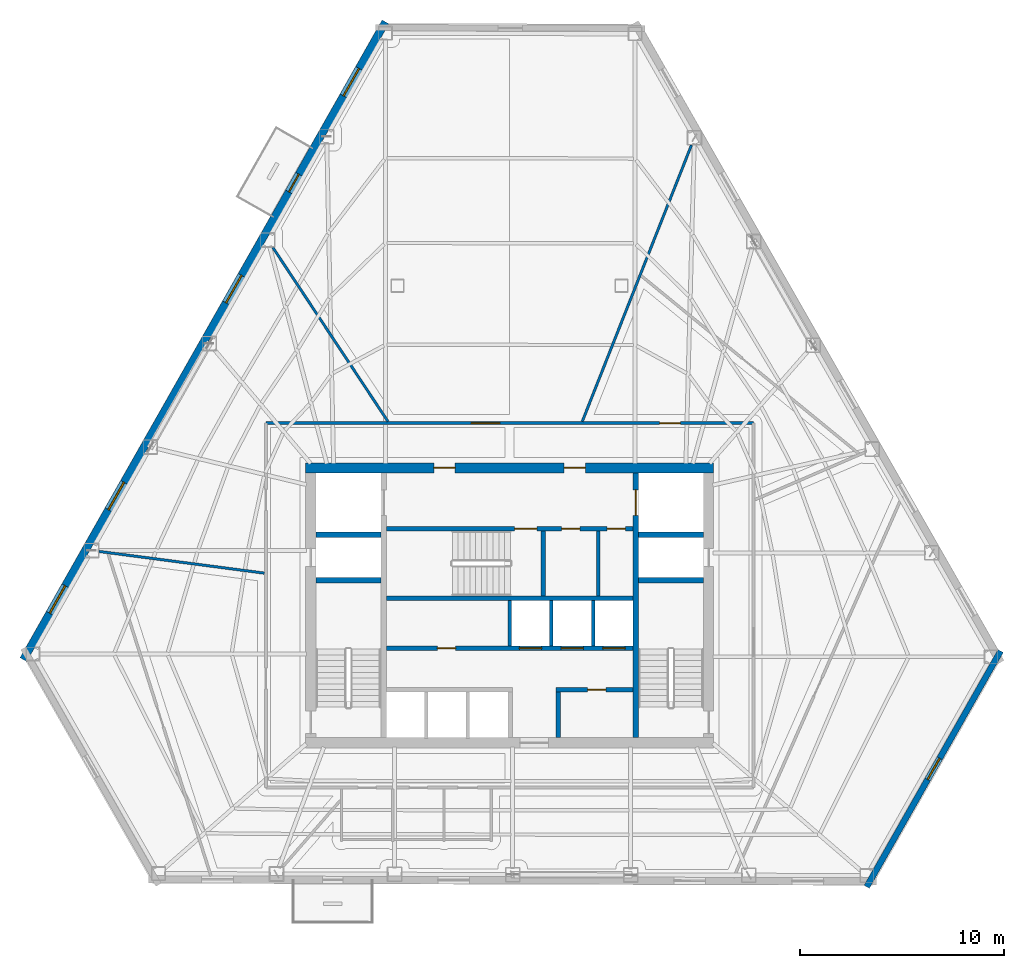
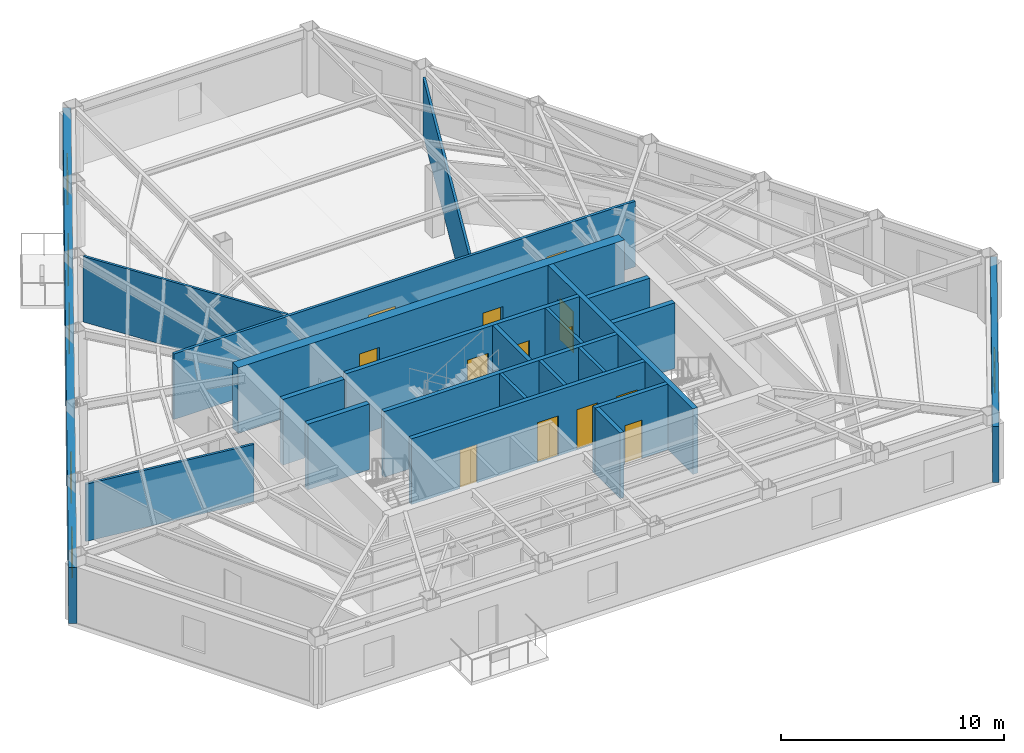
# One storey, part 9 of 13: 22 walls, 14 doors, 5 windows, 19 openings.
"""IFC4 building model written with IfcOpenShell, lengths in metres."""

from ifc_helpers import new_model, si_unit, direction, frame, frame_2d, origin, place, context, subcontext, project, spatial, rectangle, extrude, material, layer, layer_set, type_object, element, fill, save


model = new_model("IFC4")

# Units and contexts
model_context = context("Model", 3, precision=1e-05, world=origin(), true_north=direction((0.0, 1.0)))
body_context = subcontext(model_context, "Body", "Model", "MODEL_VIEW")
ifc_project = project(units=[si_unit("LENGTHUNIT", "METRE"), si_unit("AREAUNIT", "SQUARE_METRE"), si_unit("VOLUMEUNIT", "CUBIC_METRE"), si_unit("PLANEANGLEUNIT", "RADIAN"), si_unit("MASSUNIT", "GRAM", prefix="KILO")], contexts=[model_context])

# Site, building, storey
site_placement = place(None, origin())
site = spatial("IfcSite", under=ifc_project, at=site_placement, CompositionType="ELEMENT")
building_placement = place(site_placement, origin())
building = spatial("IfcBuilding", under=site, at=building_placement, Name="Kavelnor Concourse Tower", CompositionType="ELEMENT")
storey_placement = place(building_placement, frame((0.0, 0.0, 97.050048828125)))
storey = spatial("IfcBuildingStorey", under=building, at=storey_placement, Name="L24", CompositionType="ELEMENT", Elevation=97.050048828125)

# Wall, openings, doors
ifc_material_1 = material(Name="Concrete C60/75", Category="concrete")
ifc_layer_1 = layer(ifc_material_1, 0.5, Name="Concrete C60/75")
ifc_layer_set_1 = layer_set([ifc_layer_1], Name="Concrete C60/75")
wall_type_1 = type_object("IfcWallType", Name="WL-CORE-Z2-500", PredefinedType="SOLIDWALL", material=ifc_layer_set_1)
wall_1_placement = place(storey_placement, frame((27.97998046875, 22.85009765625, 0.0), z_axis=(0.0, 0.0, 1.0), x_axis=(1.0, 0.0, 0.0)))
wall_1 = element("IfcWall", 1, at=wall_1_placement, inside=storey, type_object=wall_type_1, Name="L24 Central Core North Shear Wall", PredefinedType="SOLIDWALL", context=body_context, shape_type="SweptSolid", body=[
    extrude(rectangle(XDim=20.0400390625, YDim=0.5, at=frame_2d((10.02001953125, 0.0))), origin(), (0.0, 0.0, 1.0), 3.599853515625),
])
opening_1_placement = place(wall_1_placement, frame((6.294921875, 0.0, 0.0)))
opening_1 = element("IfcOpeningElement", 2, at=opening_1_placement, cuts=wall_1, Name="Opening FD-105", PredefinedType="OPENING", context=body_context, shape_type="SweptSolid", body=[
    extrude(rectangle(XDim=1.050048828125, YDim=2.14990234375, at=frame_2d((0.52490234375, 1.074951171875))), frame((0.0, 0.260009765625, 0.0), z_axis=(0.0, -1.0, 0.0), x_axis=(1.0, 0.0, 0.0)), (0.0, 0.0, 1.0), 0.52001953125),
])
opening_2_placement = place(wall_1_placement, frame((12.695068359375, 0.0, 0.0)))
opening_2 = element("IfcOpeningElement", 3, at=opening_2_placement, cuts=wall_1, Name="Opening FD-105", PredefinedType="OPENING", context=body_context, shape_type="SweptSolid", body=[
    extrude(rectangle(XDim=1.050048828125, YDim=2.14990234375, at=frame_2d((0.52490234375, 1.074951171875))), frame((0.0, 0.260009765625, 0.0), z_axis=(0.0, -1.0, 0.0), x_axis=(1.0, 0.0, 0.0)), (0.0, 0.0, 1.0), 0.52001953125),
])
ifc_material_2 = material(Name="Steel Grade 350", Category="steel")
door_type_1 = type_object("IfcDoorType", Name="DR-LOBBY-FIRE-1050", OperationType="NOTDEFINED", PredefinedType="DOOR", material=ifc_material_2)
door_1_placement = place(opening_1_placement, origin())
door_1 = element("IfcDoor", 4, at=door_1_placement, inside=storey, type_object=door_type_1, Name="L24 Emergency Lift Lobby West Door", OperationType="SINGLE_SWING_LEFT", OverallHeight=2.14990234375, OverallWidth=1.050048828125, PredefinedType="DOOR", context=body_context, shape_type="SweptSolid", body=[
    extrude(rectangle(XDim=1.050048828125, YDim=2.14990234375, at=frame_2d((0.52490234375, 1.074951171875))), frame((0.0, 0.02490234375, 0.0), z_axis=(0.0, -1.0, 0.0), x_axis=(1.0, 0.0, 0.0)), (0.0, 0.0, 1.0), 0.050048828125),
])
fill(opening_1, door_1)
door_2_placement = place(opening_2_placement, origin())
door_2 = element("IfcDoor", 5, at=door_2_placement, inside=storey, type_object=door_type_1, Name="L24 Emergency Lift Lobby East Door", OperationType="SINGLE_SWING_RIGHT", OverallHeight=2.14990234375, OverallWidth=1.050048828125, PredefinedType="DOOR", context=body_context, shape_type="SweptSolid", body=[
    extrude(rectangle(XDim=1.050048828125, YDim=2.14990234375, at=frame_2d((0.52490234375, 1.074951171875))), frame((0.0, 0.02490234375, 0.0), z_axis=(0.0, -1.0, 0.0), x_axis=(1.0, 0.0, 0.0)), (0.0, 0.0, 1.0), 0.050048828125),
])
fill(opening_2, door_2)

# Wall, opening, window
ifc_material_3 = material(Name="Buff ironspot clay face brick masonry", Category="masonry")
ifc_layer_2 = layer(ifc_material_3, 0.300048828125, Name="Buff ironspot clay face brick masonry")
ifc_layer_set_2 = layer_set([ifc_layer_2], Name="Buff ironspot clay face brick masonry")
wall_type_2 = type_object("IfcWallType", Name="WL-EXT-BUFF-BRICK-FOLD-300", PredefinedType="STANDARD", material=ifc_layer_set_2)
wall_2_placement = place(storey_placement, frame((62.118896484375, 13.8564453125, 0.0), z_axis=(0.0, 0.0, 1.0), x_axis=(-0.493772602159, -0.869591063292, 0.0)))
wall_2 = element("IfcWall", 6, at=wall_2_placement, inside=storey, type_object=wall_type_2, Name="L24 Exterior Brick Facade Wall E4", PredefinedType="STANDARD", context=body_context, shape_type="SweptSolid", body=[
    extrude(rectangle(XDim=13.3212890625, YDim=0.300048828125, at=frame_2d((6.66064453125, 0.0))), origin(), (0.0, 0.0, 1.0), 3.058837890625),
])
opening_3_placement = place(wall_2_placement, frame((6.060546875, 0.0, 0.64990234375)))
opening_3 = element("IfcOpeningElement", 7, at=opening_3_placement, cuts=wall_2, Name="Opening W-05", PredefinedType="OPENING", context=body_context, shape_type="SweptSolid", body=[
    extrude(rectangle(XDim=1.199951171875, YDim=1.699951171875, at=frame_2d((0.60009765625, 0.85009765625))), frame((0.0, 0.16015625, 0.0), z_axis=(0.0, -1.0, 0.0), x_axis=(1.0, 0.0, 0.0)), (0.0, 0.0, 1.0), 0.320068359375),
])
ifc_material_4 = material(Name="Double low-E argon insulated glazing", Category="glass")
window_type_1 = type_object("IfcWindowType", Name="WIN-FOLD-1200", PartitioningType="SINGLE_PANEL", PredefinedType="WINDOW", material=ifc_material_4)
window_1_placement = place(opening_3_placement, origin())
window_1 = element("IfcWindow", 8, at=window_1_placement, inside=storey, type_object=window_type_1, Name="L24 Chamfer-Fold Facet Window C2", OverallHeight=1.699951171875, OverallWidth=1.199951171875, PartitioningType="SINGLE_PANEL", PredefinedType="WINDOW", context=body_context, shape_type="SweptSolid", body=[
    extrude(rectangle(XDim=1.199951171875, YDim=1.699951171875, at=frame_2d((0.60009765625, 0.85009765625))), frame((0.0, 0.030029296875, 0.0), z_axis=(0.0, -1.0, 0.0), x_axis=(1.0, 0.0, 0.0)), (0.0, 0.0, 1.0), 0.06005859375),
])
fill(opening_3, window_1)

# Wall, openings, door, windows
ifc_material_5 = material(Name="Red-ochre clay face brick masonry", Category="masonry")
ifc_layer_3 = layer(ifc_material_5, 0.3798828125, Name="Red-ochre clay face brick masonry")
ifc_layer_set_3 = layer_set([ifc_layer_3], Name="Red-ochre clay face brick masonry")
wall_type_3 = type_object("IfcWallType", Name="WL-EXT-RED-BRICK-PIER-380", PredefinedType="STANDARD", material=ifc_layer_set_3)
wall_3_placement = place(storey_placement, frame((14.11328125, 13.435546875, 0.0), z_axis=(0.0, 0.0, 1.0), x_axis=(0.493785476093, 0.869583753068, 0.0)))
wall_3 = element("IfcWall", 9, at=wall_3_placement, inside=storey, type_object=wall_type_3, Name="L24 Exterior Brick Facade Wall E1", PredefinedType="STANDARD", context=body_context, shape_type="SweptSolid", body=[
    extrude(rectangle(XDim=36.02294921875, YDim=0.3798828125, at=frame_2d((18.011474609375, 0.0))), origin(), (0.0, 0.0, 1.0), 3.058837890625),
])
opening_4_placement = place(wall_3_placement, frame((26.417236328125, 0.0, 0.0)))
opening_4 = element("IfcOpeningElement", 10, at=opening_4_placement, cuts=wall_3, Name="Opening BD-100", PredefinedType="OPENING", context=body_context, shape_type="SweptSolid", body=[
    extrude(rectangle(XDim=1.0, YDim=2.199951171875, at=frame_2d((0.5, 1.10009765625))), frame((0.0, 0.199951171875, 0.0), z_axis=(0.0, -1.0, 0.0), x_axis=(1.0, 0.0, 0.0)), (0.0, 0.0, 1.0), 0.39990234375),
])
opening_5_placement = place(wall_3_placement, frame((31.84521484375, 0.0, 0.64990234375)))
opening_5 = element("IfcOpeningElement", 11, at=opening_5_placement, cuts=wall_3, Name="Opening W-02", PredefinedType="OPENING", context=body_context, shape_type="SweptSolid", body=[
    extrude(rectangle(XDim=1.550048828125, YDim=1.75, at=frame_2d((0.77490234375, 0.875))), frame((0.0, 0.199951171875, 0.0), z_axis=(0.0, -1.0, 0.0), x_axis=(1.0, 0.0, 0.0)), (0.0, 0.0, 1.0), 0.39990234375),
])
opening_6_placement = place(wall_3_placement, frame((20.155517578125, 0.0, 0.64990234375)))
opening_6 = element("IfcOpeningElement", 12, at=opening_6_placement, cuts=wall_3, Name="Opening W-02", PredefinedType="OPENING", context=body_context, shape_type="SweptSolid", body=[
    extrude(rectangle(XDim=1.550048828125, YDim=1.75, at=frame_2d((0.77490234375, 0.875))), frame((0.0, 0.199951171875, 0.0), z_axis=(0.0, -1.0, 0.0), x_axis=(1.0, 0.0, 0.0)), (0.0, 0.0, 1.0), 0.39990234375),
])
opening_7_placement = place(wall_3_placement, frame((8.4658203125, 0.0, 0.64990234375)))
opening_7 = element("IfcOpeningElement", 13, at=opening_7_placement, cuts=wall_3, Name="Opening W-02", PredefinedType="OPENING", context=body_context, shape_type="SweptSolid", body=[
    extrude(rectangle(XDim=1.550048828125, YDim=1.75, at=frame_2d((0.77490234375, 0.875))), frame((0.0, 0.199951171875, 0.0), z_axis=(0.0, -1.0, 0.0), x_axis=(1.0, 0.0, 0.0)), (0.0, 0.0, 1.0), 0.39990234375),
])
opening_8_placement = place(wall_3_placement, frame((2.620849609375, 0.0, 0.64990234375)))
opening_8 = element("IfcOpeningElement", 14, at=opening_8_placement, cuts=wall_3, Name="Opening W-02", PredefinedType="OPENING", context=body_context, shape_type="SweptSolid", body=[
    extrude(rectangle(XDim=1.550048828125, YDim=1.75, at=frame_2d((0.77490234375, 0.875))), frame((0.0, 0.199951171875, 0.0), z_axis=(0.0, -1.0, 0.0), x_axis=(1.0, 0.0, 0.0)), (0.0, 0.0, 1.0), 0.39990234375),
])
ifc_material_6 = material(Name="Anodised aluminium 6063-T6", Category="aluminium")
door_type_2 = type_object("IfcDoorType", Name="DR-BALCONY-EXT-1000", OperationType="NOTDEFINED", PredefinedType="DOOR", material=ifc_material_6)
door_3_placement = place(opening_4_placement, origin())
door_3 = element("IfcDoor", 15, at=door_3_placement, inside=storey, type_object=door_type_2, Name="L24 Tree Balcony 1 Glazed Door", OperationType="SINGLE_SWING_LEFT", OverallHeight=2.199951171875, OverallWidth=1.0, PredefinedType="DOOR", context=body_context, shape_type="SweptSolid", body=[
    extrude(rectangle(XDim=1.0, YDim=2.199951171875, at=frame_2d((0.5, 1.10009765625))), frame((0.0, 0.02490234375, 0.0), z_axis=(0.0, -1.0, 0.0), x_axis=(1.0, 0.0, 0.0)), (0.0, 0.0, 1.0), 0.050048828125),
])
fill(opening_4, door_3)
window_type_2 = type_object("IfcWindowType", Name="WIN-PIER-Z2-1650", PartitioningType="SINGLE_PANEL", PredefinedType="WINDOW", material=ifc_material_4)
window_2_placement = place(opening_5_placement, origin())
window_2 = element("IfcWindow", 16, at=window_2_placement, inside=storey, type_object=window_type_2, Name="L24 Deep-Set Brick Pier Window F0-B0", OverallHeight=1.75, OverallWidth=1.550048828125, PartitioningType="SINGLE_PANEL", PredefinedType="WINDOW", context=body_context, shape_type="SweptSolid", body=[
    extrude(rectangle(XDim=1.550048828125, YDim=1.75, at=frame_2d((0.77490234375, 0.875))), frame((0.0, 0.030029296875, 0.0), z_axis=(0.0, -1.0, 0.0), x_axis=(1.0, 0.0, 0.0)), (0.0, 0.0, 1.0), 0.06005859375),
])
fill(opening_5, window_2)
window_3_placement = place(opening_6_placement, origin())
window_3 = element("IfcWindow", 17, at=window_3_placement, inside=storey, type_object=window_type_2, Name="L24 Deep-Set Brick Pier Window F0-B2", OverallHeight=1.75, OverallWidth=1.550048828125, PartitioningType="SINGLE_PANEL", PredefinedType="WINDOW", context=body_context, shape_type="SweptSolid", body=[
    extrude(rectangle(XDim=1.550048828125, YDim=1.75, at=frame_2d((0.77490234375, 0.875))), frame((0.0, 0.030029296875, 0.0), z_axis=(0.0, -1.0, 0.0), x_axis=(1.0, 0.0, 0.0)), (0.0, 0.0, 1.0), 0.06005859375),
])
fill(opening_6, window_3)
window_4_placement = place(opening_7_placement, origin())
window_4 = element("IfcWindow", 18, at=window_4_placement, inside=storey, type_object=window_type_2, Name="L24 Deep-Set Brick Pier Window F0-B4", OverallHeight=1.75, OverallWidth=1.550048828125, PartitioningType="SINGLE_PANEL", PredefinedType="WINDOW", context=body_context, shape_type="SweptSolid", body=[
    extrude(rectangle(XDim=1.550048828125, YDim=1.75, at=frame_2d((0.77490234375, 0.875))), frame((0.0, 0.030029296875, 0.0), z_axis=(0.0, -1.0, 0.0), x_axis=(1.0, 0.0, 0.0)), (0.0, 0.0, 1.0), 0.06005859375),
])
fill(opening_7, window_4)
window_5_placement = place(opening_8_placement, origin())
window_5 = element("IfcWindow", 19, at=window_5_placement, inside=storey, type_object=window_type_2, Name="L24 Deep-Set Brick Pier Window F0-B5", OverallHeight=1.75, OverallWidth=1.550048828125, PartitioningType="SINGLE_PANEL", PredefinedType="WINDOW", context=body_context, shape_type="SweptSolid", body=[
    extrude(rectangle(XDim=1.550048828125, YDim=1.75, at=frame_2d((0.77490234375, 0.875))), frame((0.0, 0.030029296875, 0.0), z_axis=(0.0, -1.0, 0.0), x_axis=(1.0, 0.0, 0.0)), (0.0, 0.0, 1.0), 0.06005859375),
])
fill(opening_8, window_5)

# Wall, openings, doors
ifc_material_7 = material(Name="Gypsum plasterboard on light-gauge steel studs", Category="steel")
ifc_layer_4 = layer(ifc_material_7, 0.14501953125, Name="Gypsum plasterboard on light-gauge steel studs")
ifc_layer_set_4 = layer_set([ifc_layer_4], Name="Gypsum plasterboard on light-gauge steel studs")
wall_type_4 = type_object("IfcWallType", Name="WL-INT-CORR-145", PredefinedType="PARTITIONING", material=ifc_layer_set_4)
wall_4_placement = place(storey_placement, frame((49.969970703125, 25.050048828125, 0.0), z_axis=(0.0, 0.0, 1.0), x_axis=(-1.0, 0.0, 0.0)))
wall_4 = element("IfcWall", 20, at=wall_4_placement, inside=storey, type_object=wall_type_4, Name="L24 Corridor Wall WL-L24-CR-02", PredefinedType="PARTITIONING", context=body_context, shape_type="SweptSolid", body=[
    extrude(rectangle(XDim=23.93994140625, YDim=0.14501953125, at=frame_2d((11.969970703125, 0.0))), origin(), (0.0, 0.0, 1.0), 3.599853515625),
])
opening_9_placement = place(wall_4_placement, frame((3.57666015625, 0.0, 0.0)))
opening_9 = element("IfcOpeningElement", 21, at=opening_9_placement, cuts=wall_4, Name="Opening MD-102", PredefinedType="OPENING", context=body_context, shape_type="SweptSolid", body=[
    extrude(rectangle(XDim=1.02001953125, YDim=2.14990234375, at=frame_2d((0.510009765625, 1.074951171875))), frame((0.0, 0.08251953125, 0.0), z_axis=(0.0, -1.0, 0.0), x_axis=(1.0, 0.0, 0.0)), (0.0, 0.0, 1.0), 0.1650390625),
])
opening_10_placement = place(wall_4_placement, frame((12.450927734375, 0.0, 0.0)))
opening_10 = element("IfcOpeningElement", 22, at=opening_10_placement, cuts=wall_4, Name="Opening SD-140", PredefinedType="OPENING", context=body_context, shape_type="SweptSolid", body=[
    extrude(rectangle(XDim=1.39990234375, YDim=2.199951171875, at=frame_2d((0.699951171875, 1.10009765625))), frame((0.0, 0.08251953125, 0.0), z_axis=(0.0, -1.0, 0.0), x_axis=(1.0, 0.0, 0.0)), (0.0, 0.0, 1.0), 0.1650390625),
])
ifc_material_8 = material(Name="Acoustic glazed timber frame", Category="wood")
door_type_3 = type_object("IfcDoorType", Name="DR-MEETING-1020", OperationType="NOTDEFINED", PredefinedType="DOOR", material=ifc_material_8)
door_4_placement = place(opening_9_placement, origin())
door_4 = element("IfcDoor", 23, at=door_4_placement, inside=storey, type_object=door_type_3, Name="L24 Client Boardroom 01 Door", OperationType="SINGLE_SWING_RIGHT", OverallHeight=2.14990234375, OverallWidth=1.02001953125, PredefinedType="DOOR", context=body_context, shape_type="SweptSolid", body=[
    extrude(rectangle(XDim=1.02001953125, YDim=2.14990234375, at=frame_2d((0.510009765625, 1.074951171875))), frame((0.0, 0.02490234375, 0.0), z_axis=(0.0, -1.0, 0.0), x_axis=(1.0, 0.0, 0.0)), (0.0, 0.0, 1.0), 0.050048828125),
])
fill(opening_9, door_4)
ifc_material_9 = material(Name="Solid-core hardwood timber", Category="wood")
door_type_4 = type_object("IfcDoorType", Name="DR-SUITE-ENTRY-1400", OperationType="NOTDEFINED", PredefinedType="DOOR", material=ifc_material_9)
door_5_placement = place(opening_10_placement, origin())
door_5 = element("IfcDoor", 24, at=door_5_placement, inside=storey, type_object=door_type_4, Name="L24 Building Staff Breakroom 03 Door", OperationType="SINGLE_SWING_RIGHT", OverallHeight=2.199951171875, OverallWidth=1.39990234375, PredefinedType="DOOR", context=body_context, shape_type="SweptSolid", body=[
    extrude(rectangle(XDim=1.39990234375, YDim=2.199951171875, at=frame_2d((0.699951171875, 1.10009765625))), frame((0.0, 0.02490234375, 0.0), z_axis=(0.0, -1.0, 0.0), x_axis=(1.0, 0.0, 0.0)), (0.0, 0.0, 1.0), 0.050048828125),
])
fill(opening_10, door_5)

# Walls
ifc_layer_5 = layer(ifc_material_7, 0.1650390625, Name="Gypsum plasterboard on light-gauge steel studs")
ifc_layer_set_5 = layer_set([ifc_layer_5], Name="Gypsum plasterboard on light-gauge steel studs")
wall_type_5 = type_object("IfcWallType", Name="WL-INT-FIRE-165", PredefinedType="PARTITIONING", material=ifc_layer_set_5)
for number, where, z_axis, x_axis, name in (
    (25, (38.0, 14.10009765625, 0.0), (0.0, 0.0, 1.0), (0.0, 1.0, 0.0), "L24 Reclaimed Core Zone Partition"),
    (26, (40.050048828125, 14.10009765625, 0.0), (0.0, 0.0, 1.0), (0.0, 1.0, 0.0), "L24 Lift Shaft Divider LP4"),
    (27, (42.10009765625, 14.10009765625, 0.0), (0.0, 0.0, 1.0), (0.0, 1.0, 0.0), "L24 Lift Shaft Divider LP5"),
):
    element("IfcWall", number, at=place(storey_placement, frame(where, z_axis=z_axis, x_axis=x_axis)), inside=storey, type_object=wall_type_5, Name=name, PredefinedType="PARTITIONING", context=body_context, shape_type="SweptSolid", body=[
        extrude(rectangle(XDim=2.239990234375, YDim=0.1650390625, at=frame_2d((1.1201171875, 0.0))), origin(), (0.0, 0.0, 1.0), 3.599853515625),
    ])
wall_5_placement = place(storey_placement, frame((42.35009765625, 16.56005859375, 0.0), z_axis=(0.0, 0.0, 1.0), x_axis=(0.0, 1.0, 0.0)))
element("IfcWall", 28, at=wall_5_placement, inside=storey, type_object=wall_type_5, Name="L24 Core Support Asymmetric Divider", PredefinedType="PARTITIONING", context=body_context, shape_type="SweptSolid", body=[
    extrude(rectangle(XDim=3.199951171875, YDim=0.1650390625, at=frame_2d((1.60009765625, 0.0))), origin(), (0.0, 0.0, 1.0), 3.599853515625),
])
ifc_layer_6 = layer(ifc_material_7, 0.125, Name="Gypsum plasterboard on light-gauge steel studs")
ifc_layer_set_6 = layer_set([ifc_layer_6], Name="Gypsum plasterboard on light-gauge steel studs")
wall_type_6 = type_object("IfcWallType", Name="WL-INT-SUITE-125", PredefinedType="PARTITIONING", material=ifc_layer_set_6)
wall_6_placement = place(storey_placement, frame((41.56787109375, 25.130615234375, 0.0), z_axis=(0.0, 0.0, 1.0), x_axis=(0.36746312835, 0.930038090243, 0.0)))
element("IfcWall", 29, at=wall_6_placement, inside=storey, type_object=wall_type_6, Name="L24 Radial Suite Partition 02", PredefinedType="PARTITIONING", context=body_context, shape_type="SweptSolid", body=[
    extrude(rectangle(XDim=14.5986328125, YDim=0.125, at=frame_2d((7.29931640625, 0.0))), origin(), (0.0, 0.0, 1.0), 3.140869140625),
])
wall_7_placement = place(storey_placement, frame((32.024658203125, 25.130615234375, 0.0), z_axis=(0.0, 0.0, 1.0), x_axis=(-0.55183790472, 0.833951393616, 0.0)))
element("IfcWall", 30, at=wall_7_placement, inside=storey, type_object=wall_type_6, Name="L24 Radial Suite Partition 03", PredefinedType="PARTITIONING", context=body_context, shape_type="SweptSolid", body=[
    extrude(rectangle(XDim=10.2470703125, YDim=0.125, at=frame_2d((5.12353515625, 0.0))), origin(), (0.0, 0.0, 1.0), 3.599853515625),
])
wall_8_placement = place(storey_placement, frame((25.949462890625, 17.6826171875, 0.0), z_axis=(0.0, 0.0, 1.0), x_axis=(-0.991488077313, 0.130197513598, 0.0)))
element("IfcWall", 31, at=wall_8_placement, inside=storey, type_object=wall_type_6, Name="L24 Radial Suite Partition 04", PredefinedType="PARTITIONING", context=body_context, shape_type="SweptSolid", body=[
    extrude(rectangle(XDim=8.18310546875, YDim=0.125, at=frame_2d((4.091552734375, 0.0))), origin(), (0.0, 0.0, 1.0), 3.140869140625),
])

# Wall, openings, doors
ifc_material_10 = material(Name="Concrete C50/60", Category="concrete")
ifc_layer_7 = layer(ifc_material_10, 0.219970703125, Name="Concrete C50/60")
ifc_layer_set_7 = layer_set([ifc_layer_7], Name="Concrete C50/60")
wall_type_7 = type_object("IfcWallType", Name="WL-SHAFT-220", PredefinedType="SOLIDWALL", material=ifc_layer_set_7)
wall_9_placement = place(storey_placement, frame((31.93994140625, 19.8701171875, 0.0), z_axis=(0.0, 0.0, 1.0), x_axis=(1.0, 0.0, 0.0)))
wall_9 = element("IfcWall", 32, at=wall_9_placement, inside=storey, type_object=wall_type_7, Name="L24 Emergency Lift Lobby South Wall", PredefinedType="SOLIDWALL", context=body_context, shape_type="SweptSolid", body=[
    extrude(rectangle(XDim=12.1201171875, YDim=0.219970703125, at=frame_2d((6.06005859375, 0.0))), origin(), (0.0, 0.0, 1.0), 3.599853515625),
])
opening_11_placement = place(wall_9_placement, frame((6.300048828125, 0.0, 0.0)))
opening_11 = element("IfcOpeningElement", 33, at=opening_11_placement, cuts=wall_9, Name="Opening FD-110", PredefinedType="OPENING", context=body_context, shape_type="SweptSolid", body=[
    extrude(rectangle(XDim=1.10009765625, YDim=2.14990234375, at=frame_2d((0.550048828125, 1.074951171875))), frame((0.0, 0.1201171875, 0.0), z_axis=(0.0, -1.0, 0.0), x_axis=(1.0, 0.0, 0.0)), (0.0, 0.0, 1.0), 0.239990234375),
])
opening_12_placement = place(wall_9_placement, frame((8.610107421875, 0.0, 0.0)))
opening_12 = element("IfcOpeningElement", 34, at=opening_12_placement, cuts=wall_9, Name="Opening FD-090", PredefinedType="OPENING", context=body_context, shape_type="SweptSolid", body=[
    extrude(rectangle(XDim=0.89990234375, YDim=2.10009765625, at=frame_2d((0.449951171875, 1.050048828125))), frame((0.0, 0.1201171875, 0.0), z_axis=(0.0, -1.0, 0.0), x_axis=(1.0, 0.0, 0.0)), (0.0, 0.0, 1.0), 0.239990234375),
])
opening_13_placement = place(wall_9_placement, frame((10.85009765625, 0.0, 0.0)))
opening_13 = element("IfcOpeningElement", 35, at=opening_13_placement, cuts=wall_9, Name="Opening FD-090", PredefinedType="OPENING", context=body_context, shape_type="SweptSolid", body=[
    extrude(rectangle(XDim=0.89990234375, YDim=2.10009765625, at=frame_2d((0.449951171875, 1.050048828125))), frame((0.0, 0.1201171875, 0.0), z_axis=(0.0, -1.0, 0.0), x_axis=(1.0, 0.0, 0.0)), (0.0, 0.0, 1.0), 0.239990234375),
])
door_type_5 = type_object("IfcDoorType", Name="DR-RISER-FIRE-900", OperationType="NOTDEFINED", PredefinedType="DOOR", material=ifc_material_2)
door_6_placement = place(opening_12_placement, origin())
door_6 = element("IfcDoor", 36, at=door_6_placement, inside=storey, type_object=door_type_5, Name="L24 Electrical Room Door", OperationType="SINGLE_SWING_LEFT", OverallHeight=2.10009765625, OverallWidth=0.89990234375, PredefinedType="DOOR", context=body_context, shape_type="SweptSolid", body=[
    extrude(rectangle(XDim=0.89990234375, YDim=2.10009765625, at=frame_2d((0.449951171875, 1.050048828125))), frame((0.0, 0.02490234375, 0.0), z_axis=(0.0, -1.0, 0.0), x_axis=(1.0, 0.0, 0.0)), (0.0, 0.0, 1.0), 0.050048828125),
])
fill(opening_12, door_6)
door_7_placement = place(opening_13_placement, origin())
door_7 = element("IfcDoor", 37, at=door_7_placement, inside=storey, type_object=door_type_5, Name="L24 Cleaner Store Door", OperationType="SINGLE_SWING_RIGHT", OverallHeight=2.10009765625, OverallWidth=0.89990234375, PredefinedType="DOOR", context=body_context, shape_type="SweptSolid", body=[
    extrude(rectangle(XDim=0.89990234375, YDim=2.10009765625, at=frame_2d((0.449951171875, 1.050048828125))), frame((0.0, 0.02490234375, 0.0), z_axis=(0.0, -1.0, 0.0), x_axis=(1.0, 0.0, 0.0)), (0.0, 0.0, 1.0), 0.050048828125),
])
fill(opening_13, door_7)
door_type_6 = type_object("IfcDoorType", Name="DR-STAIR-FIRE-1100", OperationType="NOTDEFINED", PredefinedType="DOOR", material=ifc_material_2)
door_8_placement = place(opening_11_placement, origin())
door_8 = element("IfcDoor", 38, at=door_8_placement, inside=storey, type_object=door_type_6, Name="L24 Stair ST3 Fire Door", OperationType="SINGLE_SWING_LEFT", OverallHeight=2.14990234375, OverallWidth=1.10009765625, PredefinedType="DOOR", context=body_context, shape_type="SweptSolid", body=[
    extrude(rectangle(XDim=1.10009765625, YDim=2.14990234375, at=frame_2d((0.550048828125, 1.074951171875))), frame((0.0, 0.02490234375, 0.0), z_axis=(0.0, -1.0, 0.0), x_axis=(1.0, 0.0, 0.0)), (0.0, 0.0, 1.0), 0.050048828125),
])
fill(opening_11, door_8)

# Walls
wall_10_placement = place(storey_placement, frame((31.93994140625, 16.449951171875, 0.0), z_axis=(0.0, 0.0, 1.0), x_axis=(1.0, 0.0, 0.0)))
element("IfcWall", 39, at=wall_10_placement, inside=storey, type_object=wall_type_7, Name="L24 Stair ST3 South Core Wall", PredefinedType="SOLIDWALL", context=body_context, shape_type="SweptSolid", body=[
    extrude(rectangle(XDim=12.1201171875, YDim=0.219970703125, at=frame_2d((6.06005859375, 0.0))), origin(), (0.0, 0.0, 1.0), 3.599853515625),
])
wall_11_placement = place(storey_placement, frame((39.64990234375, 16.56005859375, 0.0), z_axis=(0.0, 0.0, 1.0), x_axis=(0.0, 1.0, 0.0)))
element("IfcWall", 40, at=wall_11_placement, inside=storey, type_object=wall_type_7, Name="L24 Stair ST3 East Core Wall", PredefinedType="SOLIDWALL", context=body_context, shape_type="SweptSolid", body=[
    extrude(rectangle(XDim=3.199951171875, YDim=0.219970703125, at=frame_2d((1.60009765625, 0.0))), origin(), (0.0, 0.0, 1.0), 3.599853515625),
])

# Wall, openings, doors
wall_12_placement = place(storey_placement, frame((31.93994140625, 13.989990234375, 0.0), z_axis=(0.0, 0.0, 1.0), x_axis=(1.0, 0.0, 0.0)))
wall_12 = element("IfcWall", 41, at=wall_12_placement, inside=storey, type_object=wall_type_7, Name="L24 North Lift Row Shaft Wall", PredefinedType="SOLIDWALL", context=body_context, shape_type="SweptSolid", body=[
    extrude(rectangle(XDim=12.1201171875, YDim=0.219970703125, at=frame_2d((6.06005859375, 0.0))), origin(), (0.0, 0.0, 1.0), 3.599853515625),
])
opening_14_placement = place(wall_12_placement, frame((2.510009765625, 0.0, 0.0)))
opening_14 = element("IfcOpeningElement", 42, at=opening_14_placement, cuts=wall_12, Name="Opening FD-090", PredefinedType="OPENING", context=body_context, shape_type="SweptSolid", body=[
    extrude(rectangle(XDim=0.89990234375, YDim=2.10009765625, at=frame_2d((0.449951171875, 1.050048828125))), frame((0.0, 0.1201171875, 0.0), z_axis=(0.0, -1.0, 0.0), x_axis=(1.0, 0.0, 0.0)), (0.0, 0.0, 1.0), 0.239990234375),
])
opening_15_placement = place(wall_12_placement, frame((6.534912109375, 0.0, 0.0)))
opening_15 = element("IfcOpeningElement", 43, at=opening_15_placement, cuts=wall_12, Name="Opening LD-110", PredefinedType="OPENING", context=body_context, shape_type="SweptSolid", body=[
    extrude(rectangle(XDim=1.10009765625, YDim=2.199951171875, at=frame_2d((0.550048828125, 1.10009765625))), frame((0.0, 0.1201171875, 0.0), z_axis=(0.0, -1.0, 0.0), x_axis=(1.0, 0.0, 0.0)), (0.0, 0.0, 1.0), 0.239990234375),
])
opening_16_placement = place(wall_12_placement, frame((8.5849609375, 0.0, 0.0)))
opening_16 = element("IfcOpeningElement", 44, at=opening_16_placement, cuts=wall_12, Name="Opening LD-110", PredefinedType="OPENING", context=body_context, shape_type="SweptSolid", body=[
    extrude(rectangle(XDim=1.10009765625, YDim=2.199951171875, at=frame_2d((0.550048828125, 1.10009765625))), frame((0.0, 0.1201171875, 0.0), z_axis=(0.0, -1.0, 0.0), x_axis=(1.0, 0.0, 0.0)), (0.0, 0.0, 1.0), 0.239990234375),
])
opening_17_placement = place(wall_12_placement, frame((10.635009765625, 0.0, 0.0)))
opening_17 = element("IfcOpeningElement", 45, at=opening_17_placement, cuts=wall_12, Name="Opening LD-110", PredefinedType="OPENING", context=body_context, shape_type="SweptSolid", body=[
    extrude(rectangle(XDim=1.10009765625, YDim=2.199951171875, at=frame_2d((0.550048828125, 1.10009765625))), frame((0.0, 0.1201171875, 0.0), z_axis=(0.0, -1.0, 0.0), x_axis=(1.0, 0.0, 0.0)), (0.0, 0.0, 1.0), 0.239990234375),
])
door_type_7 = type_object("IfcDoorType", Name="DR-LIFT-SLIDING-1100", OperationType="NOTDEFINED", PredefinedType="DOOR", material=ifc_material_2)
door_9_placement = place(opening_15_placement, origin())
door_9 = element("IfcDoor", 46, at=door_9_placement, inside=storey, type_object=door_type_7, Name="L24 Lift LP4 Landing Door", OperationType="DOUBLE_DOOR_SLIDING", OverallHeight=2.199951171875, OverallWidth=1.10009765625, PredefinedType="DOOR", context=body_context, shape_type="SweptSolid", body=[
    extrude(rectangle(XDim=1.10009765625, YDim=2.199951171875, at=frame_2d((0.550048828125, 1.10009765625))), frame((0.0, 0.02490234375, 0.0), z_axis=(0.0, -1.0, 0.0), x_axis=(1.0, 0.0, 0.0)), (0.0, 0.0, 1.0), 0.050048828125),
])
fill(opening_15, door_9)
door_10_placement = place(opening_16_placement, origin())
door_10 = element("IfcDoor", 47, at=door_10_placement, inside=storey, type_object=door_type_7, Name="L24 Lift LP5 Landing Door", OperationType="DOUBLE_DOOR_SLIDING", OverallHeight=2.199951171875, OverallWidth=1.10009765625, PredefinedType="DOOR", context=body_context, shape_type="SweptSolid", body=[
    extrude(rectangle(XDim=1.10009765625, YDim=2.199951171875, at=frame_2d((0.550048828125, 1.10009765625))), frame((0.0, 0.02490234375, 0.0), z_axis=(0.0, -1.0, 0.0), x_axis=(1.0, 0.0, 0.0)), (0.0, 0.0, 1.0), 0.050048828125),
])
fill(opening_16, door_10)
door_11_placement = place(opening_17_placement, origin())
door_11 = element("IfcDoor", 48, at=door_11_placement, inside=storey, type_object=door_type_7, Name="L24 Lift LP6 Landing Door", OperationType="DOUBLE_DOOR_SLIDING", OverallHeight=2.199951171875, OverallWidth=1.10009765625, PredefinedType="DOOR", context=body_context, shape_type="SweptSolid", body=[
    extrude(rectangle(XDim=1.10009765625, YDim=2.199951171875, at=frame_2d((0.550048828125, 1.10009765625))), frame((0.0, 0.02490234375, 0.0), z_axis=(0.0, -1.0, 0.0), x_axis=(1.0, 0.0, 0.0)), (0.0, 0.0, 1.0), 0.050048828125),
])
fill(opening_17, door_11)
door_12_placement = place(opening_14_placement, origin())
door_12 = element("IfcDoor", 49, at=door_12_placement, inside=storey, type_object=door_type_5, Name="L24 Core IT Room Door", OperationType="SINGLE_SWING_LEFT", OverallHeight=2.10009765625, OverallWidth=0.89990234375, PredefinedType="DOOR", context=body_context, shape_type="SweptSolid", body=[
    extrude(rectangle(XDim=0.89990234375, YDim=2.10009765625, at=frame_2d((0.449951171875, 1.050048828125))), frame((0.0, 0.02490234375, 0.0), z_axis=(0.0, -1.0, 0.0), x_axis=(1.0, 0.0, 0.0)), (0.0, 0.0, 1.0), 0.050048828125),
])
fill(opening_14, door_12)

# Wall, opening, door
wall_13_placement = place(storey_placement, frame((40.280029296875, 11.949951171875, 0.0), z_axis=(0.0, 0.0, 1.0), x_axis=(1.0, 0.0, 0.0)))
wall_13 = element("IfcWall", 50, at=wall_13_placement, inside=storey, type_object=wall_type_7, Name="L24 Core South Support North Wall", PredefinedType="SOLIDWALL", context=body_context, shape_type="SweptSolid", body=[
    extrude(rectangle(XDim=3.780029296875, YDim=0.219970703125, at=frame_2d((1.89013671875, 0.0))), origin(), (0.0, 0.0, 1.0), 3.599853515625),
])
opening_18_placement = place(wall_13_placement, frame((1.550048828125, 0.0, 0.0)))
opening_18 = element("IfcOpeningElement", 51, at=opening_18_placement, cuts=wall_13, Name="Opening FD-090", PredefinedType="OPENING", context=body_context, shape_type="SweptSolid", body=[
    extrude(rectangle(XDim=0.89990234375, YDim=2.10009765625, at=frame_2d((0.449951171875, 1.050048828125))), frame((0.0, 0.1201171875, 0.0), z_axis=(0.0, -1.0, 0.0), x_axis=(1.0, 0.0, 0.0)), (0.0, 0.0, 1.0), 0.239990234375),
])
door_13_placement = place(opening_18_placement, origin())
door_13 = element("IfcDoor", 52, at=door_13_placement, inside=storey, type_object=door_type_5, Name="L24 Core Utility Store Door", OperationType="SINGLE_SWING_LEFT", OverallHeight=2.10009765625, OverallWidth=0.89990234375, PredefinedType="DOOR", context=body_context, shape_type="SweptSolid", body=[
    extrude(rectangle(XDim=0.89990234375, YDim=2.10009765625, at=frame_2d((0.449951171875, 1.050048828125))), frame((0.0, 0.02490234375, 0.0), z_axis=(0.0, -1.0, 0.0), x_axis=(1.0, 0.0, 0.0)), (0.0, 0.0, 1.0), 0.050048828125),
])
fill(opening_18, door_13)

# Wall
wall_14_placement = place(storey_placement, frame((40.389892578125, 9.60009765625, 0.0), z_axis=(0.0, 0.0, 1.0), x_axis=(0.0, 1.0, 0.0)))
element("IfcWall", 53, at=wall_14_placement, inside=storey, type_object=wall_type_7, Name="L24 Lift Lobby Throat East Wall", PredefinedType="SOLIDWALL", context=body_context, shape_type="SweptSolid", body=[
    extrude(rectangle(XDim=2.239990234375, YDim=0.219970703125, at=frame_2d((1.1201171875, 0.0))), origin(), (0.0, 0.0, 1.0), 3.599853515625),
])

# Wall, opening, door
ifc_layer_8 = layer(ifc_material_10, 0.260009765625, Name="Concrete C50/60")
ifc_layer_set_8 = layer_set([ifc_layer_8], Name="Concrete C50/60")
wall_type_8 = type_object("IfcWallType", Name="WL-SHAFT-260", PredefinedType="SHEAR", material=ifc_layer_set_8)
wall_15_placement = place(storey_placement, frame((44.18994140625, 9.60009765625, 0.0), z_axis=(0.0, 0.0, 1.0), x_axis=(0.0, 1.0, 0.0)))
wall_15 = element("IfcWall", 54, at=wall_15_placement, inside=storey, type_object=wall_type_8, Name="L24 Core East Wing Shear Wall", PredefinedType="SHEAR", context=body_context, shape_type="SweptSolid", body=[
    extrude(rectangle(XDim=13.0, YDim=0.260009765625, at=frame_2d((6.5, 0.0))), origin(), (0.0, 0.0, 1.0), 3.599853515625),
])
opening_19_placement = place(wall_15_placement, frame((10.925048828125, 0.0, 0.0)))
opening_19 = element("IfcOpeningElement", 55, at=opening_19_placement, cuts=wall_15, Name="Opening LD-125", PredefinedType="OPENING", context=body_context, shape_type="SweptSolid", body=[
    extrude(rectangle(XDim=1.25, YDim=2.25, at=frame_2d((0.625, 1.125))), frame((0.0, 0.14013671875, 0.0), z_axis=(0.0, -1.0, 0.0), x_axis=(1.0, 0.0, 0.0)), (0.0, 0.0, 1.0), 0.280029296875),
])
door_type_8 = type_object("IfcDoorType", Name="DR-LIFT-SLIDING-1250", OperationType="NOTDEFINED", PredefinedType="DOOR", material=ifc_material_2)
door_14_placement = place(opening_19_placement, origin())
door_14 = element("IfcDoor", 56, at=door_14_placement, inside=storey, type_object=door_type_8, Name="L24 Emergency Lift FL2 Landing Door", OperationType="DOUBLE_DOOR_SLIDING", OverallHeight=2.25, OverallWidth=1.25, PredefinedType="DOOR", context=body_context, shape_type="SweptSolid", body=[
    extrude(rectangle(XDim=1.25, YDim=2.25, at=frame_2d((0.625, 1.125))), frame((0.0, 0.02490234375, 0.0), z_axis=(0.0, -1.0, 0.0), x_axis=(1.0, 0.0, 0.0)), (0.0, 0.0, 1.0), 0.050048828125),
])
fill(opening_19, door_14)

# Walls
for number, where, z_axis, x_axis, name in (
    (57, (28.47998046875, 17.330078125, 0.0), (0.0, 0.0, 1.0), (1.0, 0.0, 0.0), "L24 Stair ST1 North Shaft Wall"),
    (58, (28.47998046875, 19.570068359375, 0.0), (0.0, 0.0, 1.0), (1.0, 0.0, 0.0), "L24 Emergency Lift FL1 South Shaft Wall"),
    (59, (44.320068359375, 17.330078125, 0.0), (0.0, 0.0, 1.0), (1.0, 0.0, 0.0), "L24 Stair ST2 North Shaft Wall"),
    (60, (44.320068359375, 19.570068359375, 0.0), (0.0, 0.0, 1.0), (1.0, 0.0, 0.0), "L24 Emergency Lift FL2 South Shaft Wall"),
):
    element("IfcWall", number, at=place(storey_placement, frame(where, z_axis=z_axis, x_axis=x_axis)), inside=storey, type_object=wall_type_8, Name=name, PredefinedType="SHEAR", context=body_context, shape_type="SweptSolid", body=[
        extrude(rectangle(XDim=3.199951171875, YDim=0.260009765625, at=frame_2d((1.60009765625, 0.0))), origin(), (0.0, 0.0, 1.0), 3.599853515625),
    ])

save(model, "model.ifc")
